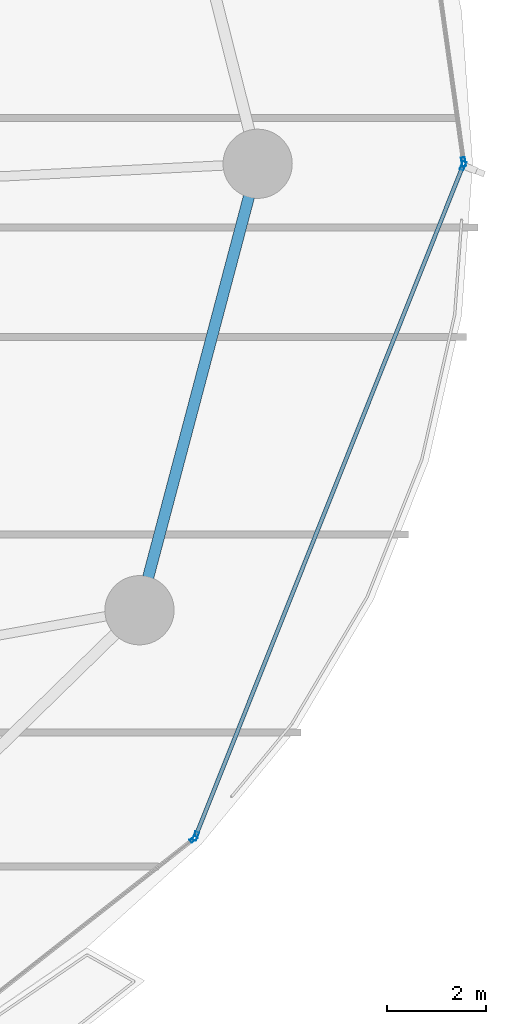
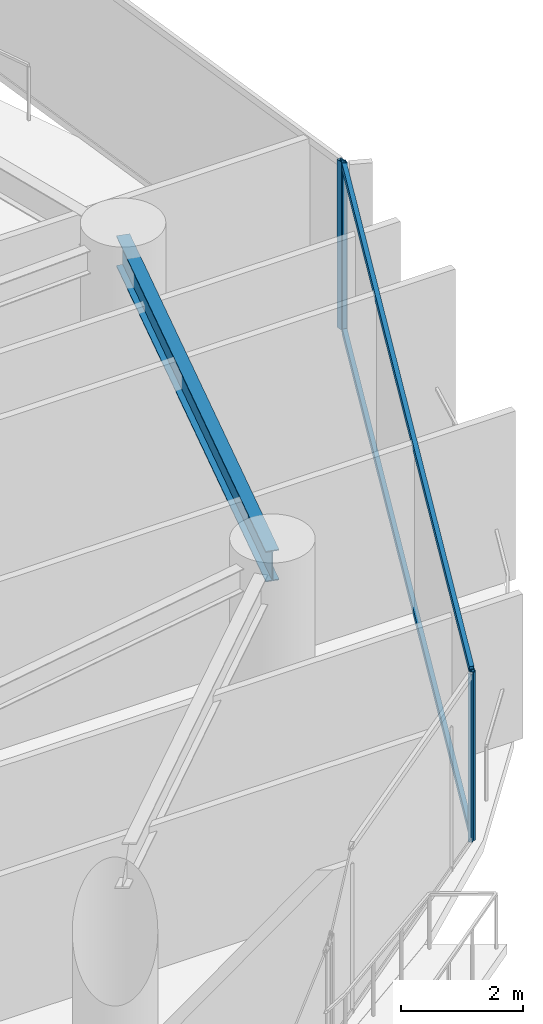
# One storey, part 22 of 32: 6 members, 1 beam, 3 elements without a shape of their own.
"""IFC4 building model written with IfcOpenShell, lengths in metres."""

from ifc_helpers import new_model, si_unit, direction, frame, origin, origin_2d, place, context, subcontext, project, spatial, hollow_rectangle, i_section, extrude, material, layer, layer_set, material_profile, profile_set, type_object, element, aggregate, save


model = new_model("IFC4")

# Units and contexts
model_context = context("Model", 3, precision=1e-05, world=origin(), true_north=direction((0.0, 1.0)))
body_context = subcontext(model_context, "Body", "Model", "MODEL_VIEW")
ifc_project = project(units=[si_unit("LENGTHUNIT", "METRE"), si_unit("AREAUNIT", "SQUARE_METRE"), si_unit("VOLUMEUNIT", "CUBIC_METRE"), si_unit("PLANEANGLEUNIT", "RADIAN"), si_unit("MASSUNIT", "GRAM", prefix="KILO")], contexts=[model_context])

# Site, building, storey
site_placement = place(None, origin())
site = spatial("IfcSite", under=ifc_project, at=site_placement, CompositionType="ELEMENT")
building_placement = place(site_placement, origin())
building = spatial("IfcBuilding", under=site, at=building_placement, Name="Kazevale Care Tower and Concert Hall", CompositionType="ELEMENT")
storey_placement = place(building_placement, frame((0.0, 0.0, 38.39990234375)))
storey = spatial("IfcBuildingStorey", under=building, at=storey_placement, Name="L09", CompositionType="ELEMENT", Elevation=38.39990234375)

# Curtain wall, members
ifc_material_1 = material(Name="Aluminium 6063-T6 and Low-E Glass", Category="aluminium")
ifc_layer_1 = layer(ifc_material_1, 0.179931640625)
ifc_layer_set_1 = layer_set([ifc_layer_1], Name="Aluminium 6063-T6 and Low-E Glass")
curtain_wall_type_1 = type_object("IfcCurtainWallType", Name="Waist & Upper Residential Curtain Wall CW-4", PredefinedType="NOTDEFINED", material=ifc_layer_set_1)
curtain_wall_1_placement = place(storey_placement, origin())
curtain_wall_1 = element("IfcCurtainWall", 1, at=curtain_wall_1_placement, inside=storey, type_object=curtain_wall_type_1, Name="cw:L09:f01", PredefinedType="NOTDEFINED")
ifc_material_2 = material(Name="Aluminium 6063-T6", Category="aluminium")
ifc_material_profile_1 = material_profile(ifc_material_2, hollow_rectangle(XDim=0.080078125, YDim=0.179931640625, WallThickness=0.0048828125, at=origin_2d()), Name="ALU80x180x5")
ifc_profile_set_1 = profile_set([ifc_material_profile_1], Name="Aluminium 6063-T6")
member_type_1 = type_object("IfcMemberType", Name="CW-4 Mullion ALU80x180x5", PredefinedType="MULLION", material=ifc_profile_set_1)
member_1_placement = place(storey_placement, frame((80.605224609375, 37.962890625, 0.0), z_axis=(0.0, 0.0, 1.0), x_axis=(0.928861412274, -0.370427424456, 0.0)))
member_1 = element("IfcMember", 2, at=member_1_placement, type_object=member_type_1, Name="CW-4 mullion 1", PredefinedType="MULLION", context=body_context, shape_type="SweptSolid", body=[
    extrude(hollow_rectangle(XDim=0.080078125, YDim=0.179931640625, WallThickness=0.0048828125, at=origin_2d()), origin(), (0.0, 0.0, 1.0), 3.360107421875),
])
member_2_placement = place(storey_placement, frame((75.19677734375, 24.401123046875, 0.0), z_axis=(0.0, 0.0, 1.0), x_axis=(0.928861412274, -0.370427424456, 0.0)))
member_2 = element("IfcMember", 3, at=member_2_placement, type_object=member_type_1, Name="CW-4 mullion 2", PredefinedType="MULLION", context=body_context, shape_type="SweptSolid", body=[
    extrude(hollow_rectangle(XDim=0.080078125, YDim=0.179931640625, WallThickness=0.0048828125, at=origin_2d()), origin(), (0.0, 0.0, 1.0), 3.360107421875),
])

# Curtain wall, member
curtain_wall_2_placement = place(storey_placement, origin())
curtain_wall_2 = element("IfcCurtainWall", 4, at=curtain_wall_2_placement, inside=storey, type_object=curtain_wall_type_1, Name="cw:L09:f18", PredefinedType="NOTDEFINED")
member_3_placement = place(storey_placement, frame((80.614501953125, 38.03955078125, 0.0), z_axis=(0.0, 0.0, 1.0), x_axis=(0.990295475282, 0.138977953775, 0.0)))
member_3 = element("IfcMember", 5, at=member_3_placement, type_object=member_type_1, Name="CW-4 mullion 2", PredefinedType="MULLION", context=body_context, shape_type="SweptSolid", body=[
    extrude(hollow_rectangle(XDim=0.080078125, YDim=0.179931640625, WallThickness=0.0048828125, at=origin_2d()), origin(), (0.0, 0.0, 1.0), 3.360107421875),
])
aggregate(curtain_wall_2, [member_3])

# Member
ifc_material_profile_2 = material_profile(ifc_material_2, hollow_rectangle(XDim=0.080078125, YDim=0.139892578125, WallThickness=0.00390625, at=origin_2d()), Name="ALU80x140x4")
ifc_profile_set_2 = profile_set([ifc_material_profile_2], Name="Aluminium 6063-T6")
member_type_2 = type_object("IfcMemberType", Name="CW-4 Transom ALU80x140x4", PredefinedType="USERDEFINED", material=ifc_profile_set_2)
member_4_placement = place(storey_placement, frame((80.59033203125, 37.92578125, 0.0400390625), z_axis=(-0.370419345682, -0.928864634026, 0.0), x_axis=(0.928864634026, -0.370419345682, 0.0)))
member_4 = element("IfcMember", 6, at=member_4_placement, type_object=member_type_2, Name="CW-4 transom 1.1", ObjectType="TRANSOM", PredefinedType="USERDEFINED", context=body_context, shape_type="SweptSolid", body=[
    extrude(hollow_rectangle(XDim=0.080078125, YDim=0.139892578125, WallThickness=0.00390625, at=origin_2d()), origin(), (0.0, 0.0, 1.0), 14.5205078125),
])

member_5_placement = place(storey_placement, frame((80.59033203125, 37.92578125, 3.320068359375), z_axis=(-0.370419345682, -0.928864634026, 0.0), x_axis=(0.928864634026, -0.370419345682, 0.0)))
member_5 = element("IfcMember", 7, at=member_5_placement, type_object=member_type_2, Name="CW-4 transom 1.2", ObjectType="TRANSOM", PredefinedType="USERDEFINED", context=body_context, shape_type="SweptSolid", body=[
    extrude(hollow_rectangle(XDim=0.080078125, YDim=0.139892578125, WallThickness=0.00390625, at=origin_2d()), origin(), (0.0, 0.0, 1.0), 14.5205078125),
])

aggregate(curtain_wall_1, [member_1, member_2, member_4, member_5])

# Curtain wall, member
ifc_layer_2 = layer(ifc_material_1, 0.179931640625)
ifc_layer_set_2 = layer_set([ifc_layer_2], Name="Aluminium 6063-T6 and Low-E Glass")
curtain_wall_type_2 = type_object("IfcCurtainWallType", Name="Sheltered Concave Balcony Curtain Wall CW-5", PredefinedType="NOTDEFINED", material=ifc_layer_set_2)
curtain_wall_3_placement = place(storey_placement, origin())
curtain_wall_3 = element("IfcCurtainWall", 8, at=curtain_wall_3_placement, inside=storey, type_object=curtain_wall_type_2, Name="cw:L09:f02", PredefinedType="NOTDEFINED")
ifc_material_profile_3 = material_profile(ifc_material_2, hollow_rectangle(XDim=0.074951171875, YDim=0.14990234375, WallThickness=0.00390625, at=origin_2d()), Name="ALU75x150x4")
ifc_profile_set_3 = profile_set([ifc_material_profile_3], Name="Aluminium 6063-T6")
member_type_3 = type_object("IfcMemberType", Name="CW-5 Mullion ALU75x150x4", PredefinedType="MULLION", material=ifc_profile_set_3)
member_6_placement = place(storey_placement, frame((75.152587890625, 24.3408203125, 0.0), z_axis=(0.0, 0.0, 1.0), x_axis=(0.617807548814, -0.78632934107, 0.0)))
member_6 = element("IfcMember", 9, at=member_6_placement, type_object=member_type_3, Name="CW-5 mullion 1", PredefinedType="MULLION", context=body_context, shape_type="SweptSolid", body=[
    extrude(hollow_rectangle(XDim=0.074951171875, YDim=0.14990234375, WallThickness=0.00390625, at=origin_2d()), origin(), (0.0, 0.0, 1.0), 3.360107421875),
])
aggregate(curtain_wall_3, [member_6])

# Beam
ifc_material_3 = material(Name="Steel ASTM A572 Gr 50", Category="steel")
ifc_material_profile_4 = material_profile(ifc_material_3, i_section(OverallWidth=0.22900390625, OverallDepth=0.612060546875, WebThickness=0.011962890625, FlangeThickness=0.01953125, at=origin_2d()), Name="W610x125")
ifc_profile_set_4 = profile_set([ifc_material_profile_4], Name="Steel ASTM A572 Gr 50")
beam_type = type_object("IfcBeamType", Name="Ring Spandrel Beam W610x125", PredefinedType="SPANDREL", material=ifc_profile_set_4)
beam_placement = place(storey_placement, frame((74.06005859375, 28.969970703125, 3.05419921875), z_axis=(0.255851611973, 0.966716066201, 0.0), x_axis=(-0.966716066201, 0.255851611973, 0.0)))
element("IfcBeam", 10, at=beam_placement, inside=storey, type_object=beam_type, Name="beam:L09:ring:16", PredefinedType="SPANDREL", context=body_context, shape_type="SweptSolid", body=[
    extrude(i_section(OverallWidth=0.22900390625, OverallDepth=0.612060546875, WebThickness=0.011962890625, FlangeThickness=0.01953125, at=origin_2d()), origin(), (0.0, 0.0, 1.0), 9.3408203125),
])

save(model, "model.ifc")
